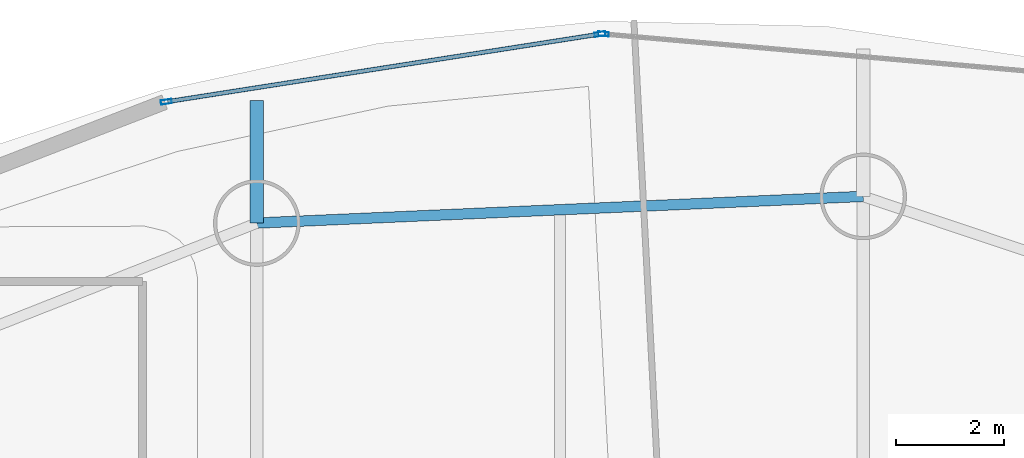
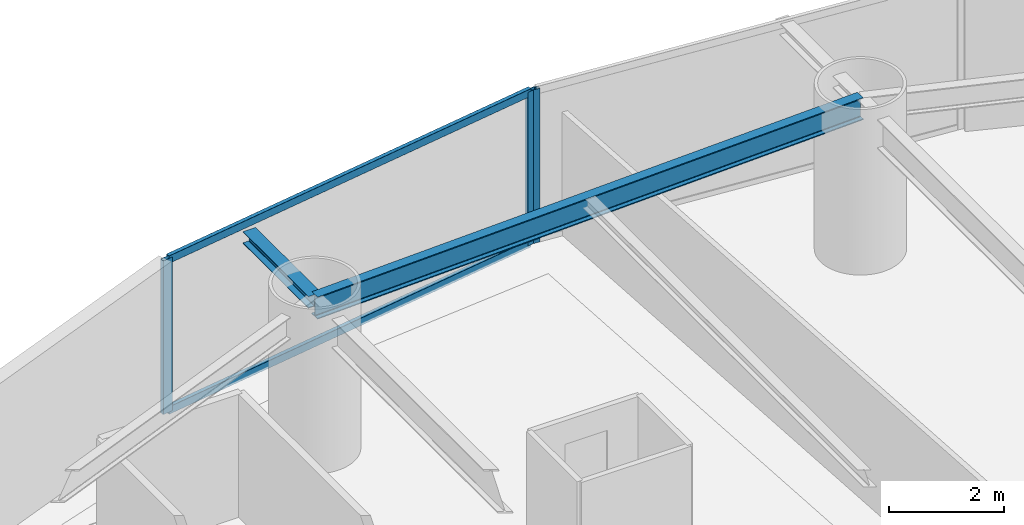
# One storey, part 14 of 24: 5 members, 2 beams, 2 elements without a shape of their own.
"""IFC4 building model written with IfcOpenShell, lengths in metres."""

from ifc_helpers import new_model, si_unit, direction, frame, origin, origin_2d, place, context, subcontext, project, spatial, hollow_rectangle, i_section, extrude, material, layer, layer_set, material_profile, profile_set, type_object, element, aggregate, save


model = new_model("IFC4")

# Units and contexts
model_context = context("Model", 3, precision=1e-05, world=origin(), true_north=direction((0.0, 1.0)))
body_context = subcontext(model_context, "Body", "Model", "MODEL_VIEW")
ifc_project = project(units=[si_unit("LENGTHUNIT", "METRE"), si_unit("AREAUNIT", "SQUARE_METRE"), si_unit("VOLUMEUNIT", "CUBIC_METRE"), si_unit("PLANEANGLEUNIT", "RADIAN"), si_unit("MASSUNIT", "GRAM", prefix="KILO")], contexts=[model_context])

# Site, building, storey
site_placement = place(None, origin())
site = spatial("IfcSite", under=ifc_project, at=site_placement, CompositionType="ELEMENT")
building_placement = place(site_placement, origin())
building = spatial("IfcBuilding", under=site, at=building_placement, Name="Bramvorn Convention Spire", CompositionType="ELEMENT")
storey_placement = place(building_placement, frame((0.0, 0.0, 83.39990234375)))
storey = spatial("IfcBuildingStorey", under=building, at=storey_placement, Name="L19", CompositionType="ELEMENT", Elevation=83.39990234375)

# Beams
ifc_material_1 = material(Name="Steel CSA G40.21 Grade 350 (350W)", Category="steel")
ifc_material_profile_1 = material_profile(ifc_material_1, i_section(OverallWidth=0.25390625, OverallDepth=0.2529296875, WebThickness=0.008544921875, FlangeThickness=0.01416015625, FilletRadius=0.011962890625, at=origin_2d()))
ifc_profile_set_1 = profile_set([ifc_material_profile_1], Name="Steel CSA G40.21 Grade 350 (350W) - W250X73")
beam_type_1 = type_object("IfcBeamType", Name="BM-W250X73", PredefinedType="BEAM", material=ifc_profile_set_1)
beam_1_placement = place(storey_placement, frame((29.76220703125, 46.57666015625, 3.12353515625), z_axis=(0.0, 1.0, 0.0), x_axis=(-1.0, 0.0, 0.0)))
element("IfcBeam", 1, at=beam_1_placement, inside=storey, type_object=beam_type_1, Name="L19 slab-edge cantilever tip beam MC06", PredefinedType="BEAM", context=body_context, shape_type="SweptSolid", body=[
    extrude(i_section(OverallWidth=0.25390625, OverallDepth=0.2529296875, WebThickness=0.008544921875, FlangeThickness=0.01416015625, FilletRadius=0.011962890625, at=origin_2d()), origin(), (0.0, 0.0, 1.0), 2.26708984375),
])
ifc_material_profile_2 = material_profile(ifc_material_1, i_section(OverallWidth=0.194091796875, OverallDepth=0.468994140625, WebThickness=0.0126953125, FlangeThickness=0.0205078125, FilletRadius=0.01806640625, at=origin_2d()))
ifc_profile_set_2 = profile_set([ifc_material_profile_2], Name="Steel CSA G40.21 Grade 350 (350W) - W460X106")
beam_type_2 = type_object("IfcBeamType", Name="BM-W460X106", PredefinedType="SPANDREL", material=ifc_profile_set_2)
beam_2_placement = place(storey_placement, frame((40.9609375, 47.06884765625, 3.015625), z_axis=(-0.999035582762, -0.043907907889, 0.0), x_axis=(0.043907907889, -0.999035582762, 0.0)))
element("IfcBeam", 2, at=beam_2_placement, inside=storey, type_object=beam_type_2, Name="L19 mega-column ring beam 05", PredefinedType="SPANDREL", context=body_context, shape_type="SweptSolid", body=[
    extrude(i_section(OverallWidth=0.194091796875, OverallDepth=0.468994140625, WebThickness=0.0126953125, FlangeThickness=0.0205078125, FilletRadius=0.01806640625, at=origin_2d()), origin(), (0.0, 0.0, 1.0), 11.20947265625),
])

# Curtain wall, member
ifc_material_2 = material(Name="Anodised Bronze Unitised Curtain Wall", Category="aluminium")
ifc_layer = layer(ifc_material_2, 0.179931640625)
ifc_layer_set = layer_set([ifc_layer], Name="Anodised Bronze Unitised Curtain Wall - CW-HTL-FRIT")
curtain_wall_type = type_object("IfcCurtainWallType", Name="CW-HTL-FRIT", PredefinedType="USERDEFINED", material=ifc_layer_set)
curtain_wall_1_placement = place(storey_placement, origin())
curtain_wall_1 = element("IfcCurtainWall", 3, at=curtain_wall_1_placement, inside=storey, type_object=curtain_wall_type, Name="L19 fritted glass curtain wall 07", ObjectType="UNITISED CURTAIN WALL", PredefinedType="USERDEFINED")
ifc_material_3 = material(Name="Anodised Bronze Aluminium 6063-T6", Category="aluminium")
ifc_material_profile_3 = material_profile(ifc_material_3, hollow_rectangle(XDim=0.080078125, YDim=0.199951171875, WallThickness=0.00390625, InnerFilletRadius=0.0009765625, OuterFilletRadius=0.00390625, at=origin_2d()))
ifc_profile_set_3 = profile_set([ifc_material_profile_3], Name="Anodised Bronze Aluminium 6063-T6 - CWM80X200")
member_type_1 = type_object("IfcMemberType", Name="CW-MUL-180", PredefinedType="MULLION", material=ifc_profile_set_3)
member_1_placement = place(storey_placement, frame((36.16162109375, 50.069091796875, 0.0), z_axis=(0.0, 0.0, 1.0), x_axis=(0.087036447575, 0.99620512787, 0.0)))
member_1 = element("IfcMember", 4, at=member_1_placement, type_object=member_type_1, Name="CW2 mullion 1", PredefinedType="MULLION", context=body_context, shape_type="SweptSolid", body=[
    extrude(hollow_rectangle(XDim=0.080078125, YDim=0.199951171875, WallThickness=0.00390625, InnerFilletRadius=0.0009765625, OuterFilletRadius=0.00390625, at=origin_2d()), origin(), (0.0, 0.0, 1.0), 3.25),
])
aggregate(curtain_wall_1, [member_1])

# Curtain wall, members
curtain_wall_2_placement = place(storey_placement, origin())
curtain_wall_2 = element("IfcCurtainWall", 5, at=curtain_wall_2_placement, inside=storey, type_object=curtain_wall_type, Name="L19 fritted glass curtain wall 08", ObjectType="UNITISED CURTAIN WALL", PredefinedType="USERDEFINED")
member_2_placement = place(storey_placement, frame((28.08837890625, 48.815673828125, 0.0), z_axis=(0.0, 0.0, 1.0), x_axis=(-0.154292504277, 0.98802521381, 0.0)))
member_2 = element("IfcMember", 6, at=member_2_placement, type_object=member_type_1, Name="CW2 mullion 1", PredefinedType="MULLION", context=body_context, shape_type="SweptSolid", body=[
    extrude(hollow_rectangle(XDim=0.080078125, YDim=0.199951171875, WallThickness=0.00390625, InnerFilletRadius=0.0009765625, OuterFilletRadius=0.00390625, at=origin_2d()), origin(), (0.0, 0.0, 1.0), 3.25),
])
member_3_placement = place(storey_placement, frame((36.10205078125, 50.067138671875, 0.0), z_axis=(0.0, 0.0, 1.0), x_axis=(-0.154292504277, 0.98802521381, 0.0)))
member_3 = element("IfcMember", 7, at=member_3_placement, type_object=member_type_1, Name="CW2 mullion 2", PredefinedType="MULLION", context=body_context, shape_type="SweptSolid", body=[
    extrude(hollow_rectangle(XDim=0.080078125, YDim=0.199951171875, WallThickness=0.00390625, InnerFilletRadius=0.0009765625, OuterFilletRadius=0.00390625, at=origin_2d()), origin(), (0.0, 0.0, 1.0), 3.25),
])
ifc_material_profile_4 = material_profile(ifc_material_3, hollow_rectangle(XDim=0.080078125, YDim=0.159912109375, WallThickness=0.00390625, InnerFilletRadius=0.0009765625, OuterFilletRadius=0.00390625, at=origin_2d()))
ifc_profile_set_4 = profile_set([ifc_material_profile_4], Name="Anodised Bronze Aluminium 6063-T6 - CWT80X160")
member_type_2 = type_object("IfcMemberType", Name="CW-TRN-150", PredefinedType="USERDEFINED", material=ifc_profile_set_4)
member_4_placement = place(storey_placement, frame((28.1181640625, 48.8203125, 0.030029296875), z_axis=(0.988024894675, 0.154294547869, 0.0), x_axis=(-0.154294547869, 0.988024894675, 0.0)))
member_4 = element("IfcMember", 8, at=member_4_placement, type_object=member_type_2, Name="CW2 transom 1.1", ObjectType="TRANSOM", PredefinedType="USERDEFINED", context=body_context, shape_type="SweptSolid", body=[
    extrude(hollow_rectangle(XDim=0.080078125, YDim=0.159912109375, WallThickness=0.00390625, InnerFilletRadius=0.0009765625, OuterFilletRadius=0.00390625, at=origin_2d()), origin(), (0.0, 0.0, 1.0), 8.05078125),
])
member_5_placement = place(storey_placement, frame((28.1181640625, 48.8203125, 3.22021484375), z_axis=(0.988024894675, 0.154294547869, 0.0), x_axis=(-0.154294547869, 0.988024894675, 0.0)))
member_5 = element("IfcMember", 9, at=member_5_placement, type_object=member_type_2, Name="CW2 transom 1.2", ObjectType="TRANSOM", PredefinedType="USERDEFINED", context=body_context, shape_type="SweptSolid", body=[
    extrude(hollow_rectangle(XDim=0.080078125, YDim=0.159912109375, WallThickness=0.00390625, InnerFilletRadius=0.0009765625, OuterFilletRadius=0.00390625, at=origin_2d()), origin(), (0.0, 0.0, 1.0), 8.05078125),
])
aggregate(curtain_wall_2, [member_2, member_3, member_4, member_5])

save(model, "model.ifc")
